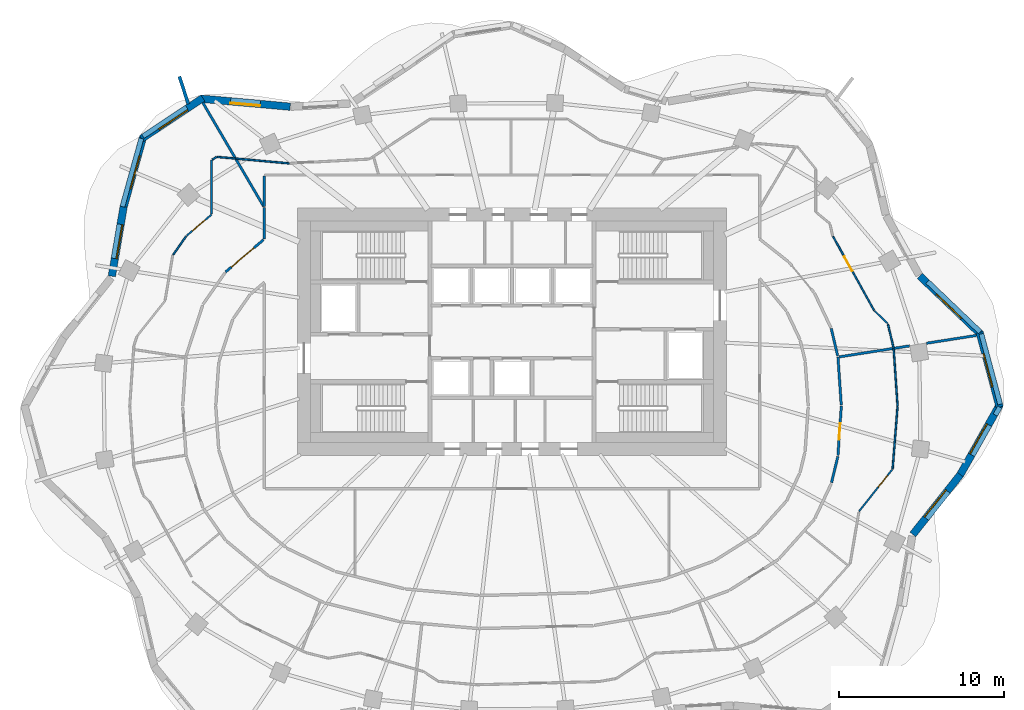
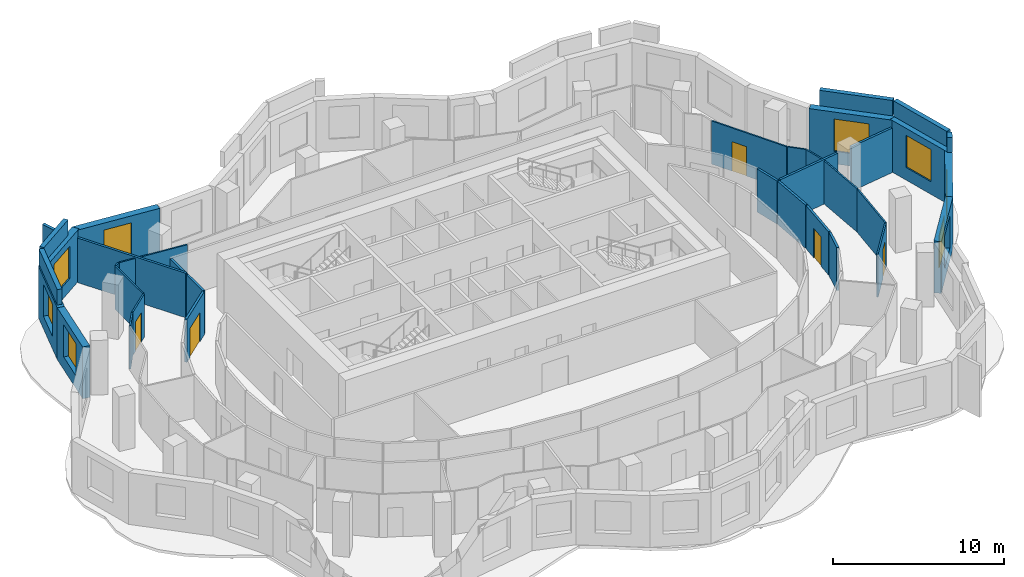
# One storey, part 7 of 10: 36 walls, 8 windows, 5 doors, 13 openings.
"""IFC4 building model written with IfcOpenShell, lengths in metres."""

from ifc_helpers import new_model, si_unit, direction, frame, frame_2d, origin, place, context, subcontext, project, spatial, rectangle, extrude, material, layer, layer_set, type_object, element, fill, save


model = new_model("IFC4")

# Units and contexts
model_context = context("Model", 3, precision=1e-05, world=origin(), true_north=direction((0.0, 1.0)))
body_context = subcontext(model_context, "Body", "Model", "MODEL_VIEW")
ifc_project = project(units=[si_unit("LENGTHUNIT", "METRE"), si_unit("AREAUNIT", "SQUARE_METRE"), si_unit("VOLUMEUNIT", "CUBIC_METRE"), si_unit("PLANEANGLEUNIT", "RADIAN"), si_unit("MASSUNIT", "GRAM", prefix="KILO")], contexts=[model_context])

# Site, building, storey
site_placement = place(None, origin())
site = spatial("IfcSite", under=ifc_project, at=site_placement, CompositionType="ELEMENT")
building_placement = place(site_placement, origin())
building = spatial("IfcBuilding", under=site, at=building_placement, Name="Rubra Terraces Tower", CompositionType="ELEMENT")
storey_placement = place(building_placement, frame((0.0, 0.0, 205.199951171875)))
storey = spatial("IfcBuildingStorey", under=building, at=storey_placement, Name="L50", CompositionType="ELEMENT", Elevation=205.199951171875)

# Wall, opening, window
ifc_material_1 = material(Name="Brick masonry red-brown", Category="masonry")
ifc_layer_1 = layer(ifc_material_1, 0.449951171875)
ifc_layer_set_1 = layer_set([ifc_layer_1], Name="Brick masonry red-brown")
wall_type_1 = type_object("IfcWallType", Name="Brick facade wall 450", PredefinedType="SOLIDWALL", material=ifc_layer_set_1)
wall_1_placement = place(storey_placement, frame((29.539794921875, -0.05810546875, 0.0), z_axis=(0.0, 0.0, 1.0), x_axis=(-0.258581372102, 0.96598947924, 0.0)))
wall_1 = element("IfcWall", 1, at=wall_1_placement, inside=storey, type_object=wall_type_1, Name="Facade wall L50 bay 1", PredefinedType="SOLIDWALL", context=body_context, shape_type="SweptSolid", body=[
    extrude(rectangle(XDim=4.68017578125, YDim=0.449951171875, at=frame_2d((2.340087890625, 0.0))), origin(), (0.0, 0.0, 1.0), 3.699951171875),
])
opening_1_placement = place(wall_1_placement, frame((1.2900390625, 0.0, 0.89990234375)))
opening_1 = element("IfcOpeningElement", 2, at=opening_1_placement, cuts=wall_1, Name="Opening W1B", PredefinedType="OPENING", context=body_context, shape_type="SweptSolid", body=[
    extrude(rectangle(XDim=2.10009765625, YDim=2.300048828125, at=frame_2d((1.050048828125, 1.14990234375))), frame((0.0, 0.23486328125, 0.0), z_axis=(0.0, -1.0, 0.0), x_axis=(1.0, 0.0, 0.0)), (0.0, 0.0, 1.0), 0.469970703125),
])
ifc_material_2 = material(Name="Clear glass in aluminium frame", Category="aluminium")
window_type_1 = type_object("IfcWindowType", Name="Fixed deep-set window tall storey 2100 x 2300", PartitioningType="SINGLE_PANEL", PredefinedType="WINDOW", material=ifc_material_2)
window_1_placement = place(opening_1_placement, origin())
window_1 = element("IfcWindow", 3, at=window_1_placement, inside=storey, type_object=window_type_1, Name="Window L50 bay 1", OverallHeight=2.300048828125, OverallWidth=2.10009765625, PartitioningType="SINGLE_PANEL", PredefinedType="WINDOW", context=body_context, shape_type="SweptSolid", body=[
    extrude(rectangle(XDim=2.10009765625, YDim=2.300048828125, at=frame_2d((1.050048828125, 1.14990234375))), frame((0.0, 0.135009765625, 0.0), z_axis=(0.0, -1.0, 0.0), x_axis=(1.0, 0.0, 0.0)), (0.0, 0.0, 1.0), 0.06005859375),
])
fill(opening_1, window_1)

wall_2_placement = place(storey_placement, frame((28.38720703125, 4.362548828125, 0.0), z_axis=(0.0, 0.0, 1.0), x_axis=(-0.722717697728, 0.691143349379, 0.0)))
wall_2 = element("IfcWall", 4, at=wall_2_placement, inside=storey, type_object=wall_type_1, Name="Facade wall L50 bay 2", PredefinedType="SOLIDWALL", context=body_context, shape_type="SweptSolid", body=[
    extrude(rectangle(XDim=5.103271484375, YDim=0.449951171875, at=frame_2d((2.5517578125, 0.0))), origin(), (0.0, 0.0, 1.0), 3.699951171875),
])
opening_2_placement = place(wall_2_placement, frame((1.501708984375, 0.0, 0.89990234375)))
opening_2 = element("IfcOpeningElement", 5, at=opening_2_placement, cuts=wall_2, Name="Opening W1B", PredefinedType="OPENING", context=body_context, shape_type="SweptSolid", body=[
    extrude(rectangle(XDim=2.10009765625, YDim=2.300048828125, at=frame_2d((1.050048828125, 1.14990234375))), frame((0.0, 0.23486328125, 0.0), z_axis=(0.0, -1.0, 0.0), x_axis=(1.0, 0.0, 0.0)), (0.0, 0.0, 1.0), 0.469970703125),
])
window_2_placement = place(opening_2_placement, origin())
window_2 = element("IfcWindow", 6, at=window_2_placement, inside=storey, type_object=window_type_1, Name="Window L50 bay 2", OverallHeight=2.300048828125, OverallWidth=2.10009765625, PartitioningType="SINGLE_PANEL", PredefinedType="WINDOW", context=body_context, shape_type="SweptSolid", body=[
    extrude(rectangle(XDim=2.10009765625, YDim=2.300048828125, at=frame_2d((1.050048828125, 1.14990234375))), frame((0.0, 0.135009765625, 0.0), z_axis=(0.0, -1.0, 0.0), x_axis=(1.0, 0.0, 0.0)), (0.0, 0.0, 1.0), 0.06005859375),
])
fill(opening_2, window_2)

wall_3_placement = place(storey_placement, frame((-13.435791015625, 18.1376953125, 0.0), z_axis=(0.0, 0.0, 1.0), x_axis=(-0.99598810213, 0.089485755376, 0.0)))
wall_3 = element("IfcWall", 7, at=wall_3_placement, inside=storey, type_object=wall_type_1, Name="Facade wall L50 bay 15", PredefinedType="SOLIDWALL", context=body_context, shape_type="SweptSolid", body=[
    extrude(rectangle(XDim=5.451171875, YDim=0.449951171875, at=frame_2d((2.7255859375, 0.0))), origin(), (0.0, 0.0, 1.0), 3.699951171875),
])
opening_3_placement = place(wall_3_placement, frame((1.825439453125, 0.0, 0.89990234375)))
opening_3 = element("IfcOpeningElement", 8, at=opening_3_placement, cuts=wall_3, Name="Opening W6B", PredefinedType="OPENING", context=body_context, shape_type="SweptSolid", body=[
    extrude(rectangle(XDim=1.800048828125, YDim=2.300048828125, at=frame_2d((0.89990234375, 1.14990234375))), frame((0.0, 0.23486328125, 0.0), z_axis=(0.0, -1.0, 0.0), x_axis=(1.0, 0.0, 0.0)), (0.0, 0.0, 1.0), 0.469970703125),
])
window_type_2 = type_object("IfcWindowType", Name="Fixed deep-set window at wind fin tall storey 1800 x 2300", PartitioningType="SINGLE_PANEL", PredefinedType="WINDOW", material=ifc_material_2)
window_3_placement = place(opening_3_placement, origin())
window_3 = element("IfcWindow", 9, at=window_3_placement, inside=storey, type_object=window_type_2, Name="Window L50 bay 15", OverallHeight=2.300048828125, OverallWidth=1.800048828125, PartitioningType="SINGLE_PANEL", PredefinedType="WINDOW", context=body_context, shape_type="SweptSolid", body=[
    extrude(rectangle(XDim=1.800048828125, YDim=2.300048828125, at=frame_2d((0.89990234375, 1.14990234375))), frame((0.0, 0.135009765625, 0.0), z_axis=(0.0, -1.0, 0.0), x_axis=(1.0, 0.0, 0.0)), (0.0, 0.0, 1.0), 0.06005859375),
])
fill(opening_3, window_3)

wall_4_placement = place(storey_placement, frame((-18.7255859375, 18.66259765625, 0.0), z_axis=(0.0, 0.0, 1.0), x_axis=(-0.83333921474, -0.552761931736, 0.0)))
wall_4 = element("IfcWall", 10, at=wall_4_placement, inside=storey, type_object=wall_type_1, Name="Facade wall L50 bay 16", PredefinedType="SOLIDWALL", context=body_context, shape_type="SweptSolid", body=[
    extrude(rectangle(XDim=4.45068359375, YDim=0.449951171875, at=frame_2d((2.225341796875, 0.0))), origin(), (0.0, 0.0, 1.0), 3.699951171875),
])
opening_4_placement = place(wall_4_placement, frame((1.17529296875, 0.0, 0.89990234375)))
opening_4 = element("IfcOpeningElement", 11, at=opening_4_placement, cuts=wall_4, Name="Opening W1B", PredefinedType="OPENING", context=body_context, shape_type="SweptSolid", body=[
    extrude(rectangle(XDim=2.10009765625, YDim=2.300048828125, at=frame_2d((1.050048828125, 1.14990234375))), frame((0.0, 0.23486328125, 0.0), z_axis=(0.0, -1.0, 0.0), x_axis=(1.0, 0.0, 0.0)), (0.0, 0.0, 1.0), 0.469970703125),
])
window_4_placement = place(opening_4_placement, origin())
window_4 = element("IfcWindow", 12, at=window_4_placement, inside=storey, type_object=window_type_1, Name="Window L50 bay 16", OverallHeight=2.300048828125, OverallWidth=2.10009765625, PartitioningType="SINGLE_PANEL", PredefinedType="WINDOW", context=body_context, shape_type="SweptSolid", body=[
    extrude(rectangle(XDim=2.10009765625, YDim=2.300048828125, at=frame_2d((1.050048828125, 1.14990234375))), frame((0.0, 0.135009765625, 0.0), z_axis=(0.0, -1.0, 0.0), x_axis=(1.0, 0.0, 0.0)), (0.0, 0.0, 1.0), 0.06005859375),
])
fill(opening_4, window_4)

wall_5_placement = place(storey_placement, frame((-22.343505859375, 16.32568359375, 0.0), z_axis=(0.0, 0.0, 1.0), x_axis=(-0.267925456304, -0.963439645159, 0.0)))
wall_5 = element("IfcWall", 13, at=wall_5_placement, inside=storey, type_object=wall_type_1, Name="Facade wall L50 bay 17", PredefinedType="SOLIDWALL", context=body_context, shape_type="SweptSolid", body=[
    extrude(rectangle(XDim=4.4267578125, YDim=0.449951171875, at=frame_2d((2.21337890625, 0.0))), origin(), (0.0, 0.0, 1.0), 3.699951171875),
])
opening_5_placement = place(wall_5_placement, frame((1.16357421875, 0.0, 0.89990234375)))
opening_5 = element("IfcOpeningElement", 14, at=opening_5_placement, cuts=wall_5, Name="Opening W1B", PredefinedType="OPENING", context=body_context, shape_type="SweptSolid", body=[
    extrude(rectangle(XDim=2.10009765625, YDim=2.300048828125, at=frame_2d((1.050048828125, 1.14990234375))), frame((0.0, 0.23486328125, 0.0), z_axis=(0.0, -1.0, 0.0), x_axis=(1.0, 0.0, 0.0)), (0.0, 0.0, 1.0), 0.469970703125),
])
window_5_placement = place(opening_5_placement, origin())
window_5 = element("IfcWindow", 15, at=window_5_placement, inside=storey, type_object=window_type_1, Name="Window L50 bay 17", OverallHeight=2.300048828125, OverallWidth=2.10009765625, PartitioningType="SINGLE_PANEL", PredefinedType="WINDOW", context=body_context, shape_type="SweptSolid", body=[
    extrude(rectangle(XDim=2.10009765625, YDim=2.300048828125, at=frame_2d((1.050048828125, 1.14990234375))), frame((0.0, 0.135009765625, 0.0), z_axis=(0.0, -1.0, 0.0), x_axis=(1.0, 0.0, 0.0)), (0.0, 0.0, 1.0), 0.06005859375),
])
fill(opening_5, window_5)

wall_6_placement = place(storey_placement, frame((-23.524169921875, 12.0830078125, 0.0), z_axis=(0.0, 0.0, 1.0), x_axis=(-0.167445072349, -0.985881406532, 0.0)))
wall_6 = element("IfcWall", 16, at=wall_6_placement, inside=storey, type_object=wall_type_1, Name="Facade wall L50 bay 18", PredefinedType="SOLIDWALL", context=body_context, shape_type="SweptSolid", body=[
    extrude(rectangle(XDim=4.27490234375, YDim=0.449951171875, at=frame_2d((2.137451171875, 0.0))), origin(), (0.0, 0.0, 1.0), 3.699951171875),
])
opening_6_placement = place(wall_6_placement, frame((1.08740234375, 0.0, 0.89990234375)))
opening_6 = element("IfcOpeningElement", 17, at=opening_6_placement, cuts=wall_6, Name="Opening W1B", PredefinedType="OPENING", context=body_context, shape_type="SweptSolid", body=[
    extrude(rectangle(XDim=2.10009765625, YDim=2.300048828125, at=frame_2d((1.050048828125, 1.14990234375))), frame((0.0, 0.23486328125, 0.0), z_axis=(0.0, -1.0, 0.0), x_axis=(1.0, 0.0, 0.0)), (0.0, 0.0, 1.0), 0.469970703125),
])
window_6_placement = place(opening_6_placement, origin())
window_6 = element("IfcWindow", 18, at=window_6_placement, inside=storey, type_object=window_type_1, Name="Window L50 bay 18", OverallHeight=2.300048828125, OverallWidth=2.10009765625, PartitioningType="SINGLE_PANEL", PredefinedType="WINDOW", context=body_context, shape_type="SweptSolid", body=[
    extrude(rectangle(XDim=2.10009765625, YDim=2.300048828125, at=frame_2d((1.050048828125, 1.14990234375))), frame((0.0, 0.135009765625, 0.0), z_axis=(0.0, -1.0, 0.0), x_axis=(1.0, 0.0, 0.0)), (0.0, 0.0, 1.0), 0.06005859375),
])
fill(opening_6, window_6)

wall_7_placement = place(storey_placement, frame((24.2822265625, -7.773681640625, 0.0), z_axis=(0.0, 0.0, 1.0), x_axis=(0.621735490397, 0.783227285008, 0.0)))
wall_7 = element("IfcWall", 19, at=wall_7_placement, inside=storey, type_object=wall_type_1, Name="Facade wall L50 bay 39", PredefinedType="SOLIDWALL", context=body_context, shape_type="SweptSolid", body=[
    extrude(rectangle(XDim=4.62451171875, YDim=0.449951171875, at=frame_2d((2.312255859375, 0.0))), origin(), (0.0, 0.0, 1.0), 3.699951171875),
])
opening_7_placement = place(wall_7_placement, frame((1.26220703125, 0.0, 0.89990234375)))
opening_7 = element("IfcOpeningElement", 20, at=opening_7_placement, cuts=wall_7, Name="Opening W1B", PredefinedType="OPENING", context=body_context, shape_type="SweptSolid", body=[
    extrude(rectangle(XDim=2.10009765625, YDim=2.300048828125, at=frame_2d((1.050048828125, 1.14990234375))), frame((0.0, 0.23486328125, 0.0), z_axis=(0.0, -1.0, 0.0), x_axis=(1.0, 0.0, 0.0)), (0.0, 0.0, 1.0), 0.469970703125),
])
window_7_placement = place(opening_7_placement, origin())
window_7 = element("IfcWindow", 21, at=window_7_placement, inside=storey, type_object=window_type_1, Name="Window L50 bay 39", OverallHeight=2.300048828125, OverallWidth=2.10009765625, PartitioningType="SINGLE_PANEL", PredefinedType="WINDOW", context=body_context, shape_type="SweptSolid", body=[
    extrude(rectangle(XDim=2.10009765625, YDim=2.300048828125, at=frame_2d((1.050048828125, 1.14990234375))), frame((0.0, 0.135009765625, 0.0), z_axis=(0.0, -1.0, 0.0), x_axis=(1.0, 0.0, 0.0)), (0.0, 0.0, 1.0), 0.06005859375),
])
fill(opening_7, window_7)

wall_8_placement = place(storey_placement, frame((27.138427734375, -4.180908203125, 0.0), z_axis=(0.0, 0.0, 1.0), x_axis=(0.491588303761, 0.870827732451, 0.0)))
wall_8 = element("IfcWall", 22, at=wall_8_placement, inside=storey, type_object=wall_type_1, Name="Facade wall L50 bay 40", PredefinedType="SOLIDWALL", context=body_context, shape_type="SweptSolid", body=[
    extrude(rectangle(XDim=4.924072265625, YDim=0.449951171875, at=frame_2d((2.4619140625, 0.0))), origin(), (0.0, 0.0, 1.0), 3.699951171875),
])
opening_8_placement = place(wall_8_placement, frame((1.412109375, 0.0, 0.89990234375)))
opening_8 = element("IfcOpeningElement", 23, at=opening_8_placement, cuts=wall_8, Name="Opening W1B", PredefinedType="OPENING", context=body_context, shape_type="SweptSolid", body=[
    extrude(rectangle(XDim=2.10009765625, YDim=2.300048828125, at=frame_2d((1.050048828125, 1.14990234375))), frame((0.0, 0.23486328125, 0.0), z_axis=(0.0, -1.0, 0.0), x_axis=(1.0, 0.0, 0.0)), (0.0, 0.0, 1.0), 0.469970703125),
])
window_8_placement = place(opening_8_placement, origin())
window_8 = element("IfcWindow", 24, at=window_8_placement, inside=storey, type_object=window_type_1, Name="Window L50 bay 40", OverallHeight=2.300048828125, OverallWidth=2.10009765625, PartitioningType="SINGLE_PANEL", PredefinedType="WINDOW", context=body_context, shape_type="SweptSolid", body=[
    extrude(rectangle(XDim=2.10009765625, YDim=2.300048828125, at=frame_2d((1.050048828125, 1.14990234375))), frame((0.0, 0.135009765625, 0.0), z_axis=(0.0, -1.0, 0.0), x_axis=(1.0, 0.0, 0.0)), (0.0, 0.0, 1.0), 0.06005859375),
])
fill(opening_8, window_8)

# Walls
ifc_layer_2 = layer(ifc_material_1, 0.300048828125)
ifc_layer_set_2 = layer_set([ifc_layer_2], Name="Brick masonry red-brown")
wall_type_2 = type_object("IfcWallType", Name="Brick parapet 300", PredefinedType="PARAPET", material=ifc_layer_set_2)
for number, where, z_axis, x_axis, name in (
    (25, (29.57275390625, 0.1083984375, 3.900146484375), (0.0, 0.0, 1.0), (-0.258523195294, 0.96600505045, 0.0), "Parapet L50 bay 1"),
    (26, (28.36083984375, 4.491455078125, 3.900146484375), (0.0, 0.0, 1.0), (-0.722694709068, 0.691167387457, 0.0), "Parapet L50 bay 2"),
):
    element("IfcWall", number, at=place(storey_placement, frame(where, z_axis=z_axis, x_axis=x_axis)), inside=storey, type_object=wall_type_2, Name=name, PredefinedType="PARAPET", context=body_context, shape_type="SweptSolid", body=[
        extrude(rectangle(XDim=4.4140625, YDim=0.300048828125, at=frame_2d((2.20703125, 0.0))), origin(), (0.0, 0.0, 1.0), 1.099853515625),
    ])
wall_9_placement = place(storey_placement, frame((-19.70751953125, 18.101318359375, 3.900146484375), z_axis=(0.0, 0.0, 1.0), x_axis=(-0.833370664286, -0.552714515738, 0.0)))
element("IfcWall", 27, at=wall_9_placement, inside=storey, type_object=wall_type_2, Name="Parapet L50 bay 16", PredefinedType="PARAPET", context=body_context, shape_type="SweptSolid", body=[
    extrude(rectangle(XDim=3.180419921875, YDim=0.300048828125, at=frame_2d((1.59033203125, 0.0))), origin(), (0.0, 0.0, 1.0), 1.099853515625),
])
wall_10_placement = place(storey_placement, frame((-22.452392578125, 16.213134765625, 3.900146484375), z_axis=(0.0, 0.0, 1.0), x_axis=(-0.267999167257, -0.963419143649, 0.0)))
element("IfcWall", 28, at=wall_10_placement, inside=storey, type_object=wall_type_2, Name="Parapet L50 bay 17", PredefinedType="PARAPET", context=body_context, shape_type="SweptSolid", body=[
    extrude(rectangle(XDim=4.287841796875, YDim=0.300048828125, at=frame_2d((2.14404296875, 0.0))), origin(), (0.0, 0.0, 1.0), 1.099853515625),
])
wall_11_placement = place(storey_placement, frame((29.27880859375, -0.541748046875, 3.900146484375), z_axis=(0.0, 0.0, 1.0), x_axis=(0.491912136679, 0.870644847103, 0.0)))
element("IfcWall", 29, at=wall_11_placement, inside=storey, type_object=wall_type_2, Name="Parapet L50 bay 40", PredefinedType="PARAPET", context=body_context, shape_type="SweptSolid", body=[
    extrude(rectangle(XDim=0.554443359375, YDim=0.300048828125, at=frame_2d((0.27734375, 0.0))), origin(), (0.0, 0.0, 1.0), 1.099853515625),
])
ifc_layer_3 = layer(ifc_material_1, 0.199951171875)
ifc_layer_set_3 = layer_set([ifc_layer_3], Name="Brick masonry red-brown")
wall_type_3 = type_object("IfcWallType", Name="Brick wind fin 200", PredefinedType="SOLIDWALL", material=ifc_layer_set_3)
wall_12_placement = place(storey_placement, frame((-19.60888671875, 18.304931640625, 0.0), z_axis=(0.0, 0.0, 1.0), x_axis=(-0.308600224758, 0.951191832008, 0.0)))
element("IfcWall", 30, at=wall_12_placement, inside=storey, type_object=wall_type_3, Name="Wind fin L50 10", PredefinedType="SOLIDWALL", context=body_context, shape_type="SweptSolid", body=[
    extrude(rectangle(XDim=1.75, YDim=0.199951171875, at=frame_2d((0.875, 0.0))), origin(), (0.0, 0.0, 1.0), 3.699951171875),
])
ifc_material_3 = material(Name="Plasterboard on steel stud, mineral wool infill", Category="steel")
ifc_layer_4 = layer(ifc_material_3, 0.14990234375)
ifc_layer_set_4 = layer_set([ifc_layer_4], Name="Plasterboard on steel stud, mineral wool infill")
wall_type_4 = type_object("IfcWallType", Name="CORRIDOR PARTITION 150", PredefinedType="PARTITIONING", material=ifc_layer_set_4)
wall_13_placement = place(storey_placement, frame((-15.0, 12.0205078125, 0.0), z_axis=(0.0, 0.0, 1.0), x_axis=(0.0, -1.0, 0.0)))
element("IfcWall", 31, at=wall_13_placement, inside=storey, type_object=wall_type_4, Name="PARTITION", PredefinedType="PARTITIONING", context=body_context, shape_type="SweptSolid", body=[
    extrude(rectangle(XDim=1.89892578125, YDim=0.14990234375, at=frame_2d((0.949462890625, 0.0))), origin(), (0.0, 0.0, 1.0), 3.083984375),
])

# Wall, opening, door
wall_14_placement = place(storey_placement, frame((-15.05712890625, 10.072998046875, 0.0), z_axis=(0.0, 0.0, 1.0), x_axis=(-0.762398905861, -0.647107339119, 0.0)))
wall_14 = element("IfcWall", 32, at=wall_14_placement, inside=storey, type_object=wall_type_4, Name="PARTITION", PredefinedType="PARTITIONING", context=body_context, shape_type="SweptSolid", body=[
    extrude(rectangle(XDim=3.013427734375, YDim=0.14990234375, at=frame_2d((1.5068359375, 0.0))), origin(), (0.0, 0.0, 1.0), 3.083984375),
])
opening_9_placement = place(wall_14_placement, frame((0.75, 0.0, 0.0)))
opening_9 = element("IfcOpeningElement", 33, at=opening_9_placement, cuts=wall_14, Name="Opening 50-101", PredefinedType="OPENING", context=body_context, shape_type="SweptSolid", body=[
    extrude(rectangle(XDim=1.800048828125, YDim=2.10009765625, at=frame_2d((0.89990234375, 1.050048828125))), frame((0.0, 0.0849609375, 0.0), z_axis=(0.0, -1.0, 0.0), x_axis=(1.0, 0.0, 0.0)), (0.0, 0.0, 1.0), 0.169921875),
])
ifc_material_4 = material(Name="Painted timber door leaf, double", Category="wood")
door_type_1 = type_object("IfcDoorType", Name="ROOM DOUBLE DOOR 1800 X 2100", OperationType="DOUBLE_DOOR_SINGLE_SWING", PredefinedType="DOOR", material=ifc_material_4)
door_1_placement = place(opening_9_placement, origin())
door_1 = element("IfcDoor", 34, at=door_1_placement, inside=storey, type_object=door_type_1, Name="DOOR 50-101", OperationType="DOUBLE_DOOR_SINGLE_SWING", OverallHeight=2.10009765625, OverallWidth=1.800048828125, PredefinedType="DOOR", context=body_context, shape_type="SweptSolid", body=[
    extrude(rectangle(XDim=1.800048828125, YDim=2.10009765625, at=frame_2d((0.89990234375, 1.050048828125))), frame((0.0, 0.02490234375, 0.0), z_axis=(0.0, -1.0, 0.0), x_axis=(1.0, 0.0, 0.0)), (0.0, 0.0, 1.0), 0.050048828125),
])
fill(opening_9, door_1)

# Wall
wall_15_placement = place(storey_placement, frame((19.355224609375, -4.6328125, 0.0), z_axis=(0.0, 0.0, 1.0), x_axis=(0.236703930685, 0.971581828359, 0.0)))
element("IfcWall", 35, at=wall_15_placement, inside=storey, type_object=wall_type_4, Name="PARTITION", PredefinedType="PARTITIONING", context=body_context, shape_type="SweptSolid", body=[
    extrude(rectangle(XDim=1.62646484375, YDim=0.14990234375, at=frame_2d((0.813232421875, 0.0))), origin(), (0.0, 0.0, 1.0), 3.083984375),
])

# Wall, opening, door
wall_16_placement = place(storey_placement, frame((19.745361328125, -2.9775390625, 0.0), z_axis=(0.0, 0.0, 1.0), x_axis=(0.068142324, 0.997675610447, 0.0)))
wall_16 = element("IfcWall", 36, at=wall_16_placement, inside=storey, type_object=wall_type_4, Name="PARTITION", PredefinedType="PARTITIONING", context=body_context, shape_type="SweptSolid", body=[
    extrude(rectangle(XDim=2.984375, YDim=0.14990234375, at=frame_2d((1.4921875, 0.0))), origin(), (0.0, 0.0, 1.0), 3.083984375),
])
opening_10_placement = place(wall_16_placement, frame((0.949951171875, 0.0, 0.0)))
opening_10 = element("IfcOpeningElement", 37, at=opening_10_placement, cuts=wall_16, Name="Opening 50-120", PredefinedType="OPENING", context=body_context, shape_type="SweptSolid", body=[
    extrude(rectangle(XDim=1.0, YDim=2.10009765625, at=frame_2d((0.5, 1.050048828125))), frame((0.0, 0.0849609375, 0.0), z_axis=(0.0, -1.0, 0.0), x_axis=(1.0, 0.0, 0.0)), (0.0, 0.0, 1.0), 0.169921875),
])
ifc_material_5 = material(Name="Painted timber door leaf", Category="wood")
door_type_2 = type_object("IfcDoorType", Name="ROOM DOOR 1000 X 2100", OperationType="SINGLE_SWING_LEFT", PredefinedType="DOOR", material=ifc_material_5)
door_2_placement = place(opening_10_placement, origin())
door_2 = element("IfcDoor", 38, at=door_2_placement, inside=storey, type_object=door_type_2, Name="DOOR 50-120", OperationType="SINGLE_SWING_RIGHT", OverallHeight=2.10009765625, OverallWidth=1.0, PredefinedType="DOOR", context=body_context, shape_type="SweptSolid", body=[
    extrude(rectangle(XDim=1.0, YDim=2.10009765625, at=frame_2d((0.5, 1.050048828125))), frame((0.0, 0.02490234375, 0.0), z_axis=(0.0, -1.0, 0.0), x_axis=(1.0, 0.0, 0.0)), (0.0, 0.0, 1.0), 0.050048828125),
])
fill(opening_10, door_2)

# Walls
wall_17_placement = place(storey_placement, frame((19.943603515625, 0.07470703125, 0.0), z_axis=(0.0, 0.0, 1.0), x_axis=(-0.068109486785, 0.997677852721, 0.0)))
element("IfcWall", 39, at=wall_17_placement, inside=storey, type_object=wall_type_4, Name="PARTITION", PredefinedType="PARTITIONING", context=body_context, shape_type="SweptSolid", body=[
    extrude(rectangle(XDim=2.903564453125, YDim=0.14990234375, at=frame_2d((1.45166015625, 0.0))), origin(), (0.0, 0.0, 1.0), 3.083984375),
])
wall_18_placement = place(storey_placement, frame((19.728759765625, 3.04443359375, 0.0), z_axis=(0.0, 0.0, 1.0), x_axis=(-0.229318400324, 0.973351463385, 0.0)))
element("IfcWall", 40, at=wall_18_placement, inside=storey, type_object=wall_type_4, Name="PARTITION", PredefinedType="PARTITIONING", context=body_context, shape_type="SweptSolid", body=[
    extrude(rectangle(XDim=1.70654296875, YDim=0.14990234375, at=frame_2d((0.853271484375, 0.0))), origin(), (0.0, 0.0, 1.0), 3.083984375),
])
wall_19_placement = place(storey_placement, frame((-15.0, 13.925048828125, 0.0), z_axis=(0.0, 0.0, 1.0), x_axis=(0.0, -1.0, 0.0)))
element("IfcWall", 41, at=wall_19_placement, inside=storey, type_object=wall_type_4, Name="PARTITION", PredefinedType="PARTITIONING", context=body_context, shape_type="SweptSolid", body=[
    extrude(rectangle(XDim=1.82958984375, YDim=0.14990234375, at=frame_2d((0.914794921875, 0.0))), origin(), (0.0, 0.0, 1.0), 3.083984375),
])
ifc_material_6 = material(Name="Plasterboard on steel stud", Category="steel")
ifc_layer_5 = layer(ifc_material_6, 0.10009765625)
ifc_layer_set_5 = layer_set([ifc_layer_5], Name="Plasterboard on steel stud")
wall_type_5 = type_object("IfcWallType", Name="ROOM PARTITION 100", PredefinedType="PARTITIONING", material=ifc_layer_set_5)
wall_20_placement = place(storey_placement, frame((-20.5224609375, 9.175048828125, 0.0), z_axis=(0.0, 0.0, 1.0), x_axis=(0.572164804476, 0.820138669079, 0.0)))
element("IfcWall", 42, at=wall_20_placement, inside=storey, type_object=wall_type_5, Name="PARTITION", PredefinedType="PARTITIONING", context=body_context, shape_type="SweptSolid", body=[
    extrude(rectangle(XDim=1.364501953125, YDim=0.10009765625, at=frame_2d((0.68212890625, 0.0))), origin(), (0.0, 0.0, 1.0), 3.083984375),
])

# Wall, opening, door
wall_21_placement = place(storey_placement, frame((-19.70361328125, 10.326416015625, 0.0), z_axis=(0.0, 0.0, 1.0), x_axis=(0.762375886238, 0.647134459044, 0.0)))
wall_21 = element("IfcWall", 43, at=wall_21_placement, inside=storey, type_object=wall_type_5, Name="PARTITION", PredefinedType="PARTITIONING", context=body_context, shape_type="SweptSolid", body=[
    extrude(rectangle(XDim=1.972412109375, YDim=0.10009765625, at=frame_2d((0.986328125, 0.0))), origin(), (0.0, 0.0, 1.0), 3.083984375),
])
opening_11_placement = place(wall_21_placement, frame((0.449951171875, 0.0, 0.0)))
opening_11 = element("IfcOpeningElement", 44, at=opening_11_placement, cuts=wall_21, Name="Opening 50-102", PredefinedType="OPENING", context=body_context, shape_type="SweptSolid", body=[
    extrude(rectangle(XDim=1.0, YDim=2.10009765625, at=frame_2d((0.5, 1.050048828125))), frame((0.0, 0.06005859375, 0.0), z_axis=(0.0, -1.0, 0.0), x_axis=(1.0, 0.0, 0.0)), (0.0, 0.0, 1.0), 0.1201171875),
])
door_3_placement = place(opening_11_placement, origin())
door_3 = element("IfcDoor", 45, at=door_3_placement, inside=storey, type_object=door_type_2, Name="DOOR 50-102", OperationType="SINGLE_SWING_RIGHT", OverallHeight=2.10009765625, OverallWidth=1.0, PredefinedType="DOOR", context=body_context, shape_type="SweptSolid", body=[
    extrude(rectangle(XDim=1.0, YDim=2.10009765625, at=frame_2d((0.5, 1.050048828125))), frame((0.0, 0.02490234375, 0.0), z_axis=(0.0, -1.0, 0.0), x_axis=(1.0, 0.0, 0.0)), (0.0, 0.0, 1.0), 0.050048828125),
])
fill(opening_11, door_3)

# Walls
wall_22_placement = place(storey_placement, frame((-18.199951171875, 11.652587890625, 0.0), z_axis=(0.0, 0.0, 1.0), x_axis=(0.0, 1.0, 0.0)))
element("IfcWall", 46, at=wall_22_placement, inside=storey, type_object=wall_type_5, Name="PARTITION", PredefinedType="PARTITIONING", context=body_context, shape_type="SweptSolid", body=[
    extrude(rectangle(XDim=3.248779296875, YDim=0.10009765625, at=frame_2d((1.62451171875, 0.0))), origin(), (0.0, 0.0, 1.0), 3.083984375),
])
wall_23_placement = place(storey_placement, frame((-18.158203125, 14.928955078125, 0.0), z_axis=(0.0, 0.0, 1.0), x_axis=(0.833382172027, 0.55269716423, 0.0)))
element("IfcWall", 47, at=wall_23_placement, inside=storey, type_object=wall_type_5, Name="PARTITION", PredefinedType="PARTITIONING", context=body_context, shape_type="SweptSolid", body=[
    extrude(rectangle(XDim=0.3095703125, YDim=0.10009765625, at=frame_2d((0.15478515625, 0.0))), origin(), (0.0, 0.0, 1.0), 3.083984375),
])
wall_24_placement = place(storey_placement, frame((-17.850341796875, 15.095703125, 0.0), z_axis=(0.0, 0.0, 1.0), x_axis=(0.995966605389, -0.089724695315, 0.0)))
element("IfcWall", 48, at=wall_24_placement, inside=storey, type_object=wall_type_5, Name="PARTITION", PredefinedType="PARTITIONING", context=body_context, shape_type="SweptSolid", body=[
    extrude(rectangle(XDim=1.085693359375, YDim=0.10009765625, at=frame_2d((0.54296875, 0.0))), origin(), (0.0, 0.0, 1.0), 3.083984375),
])
wall_25_placement = place(storey_placement, frame((23.119140625, 3.47802734375, 0.0), z_axis=(0.0, 0.0, 1.0), x_axis=(0.068141123735, -0.997675692425, 0.0)))
element("IfcWall", 49, at=wall_25_placement, inside=storey, type_object=wall_type_5, Name="PARTITION", PredefinedType="PARTITIONING", context=body_context, shape_type="SweptSolid", body=[
    extrude(rectangle(XDim=3.486083984375, YDim=0.10009765625, at=frame_2d((1.7431640625, 0.0))), origin(), (0.0, 0.0, 1.0), 3.083984375),
])
wall_26_placement = place(storey_placement, frame((23.352783203125, -0.0498046875, 0.0), z_axis=(0.0, 0.0, 1.0), x_axis=(-0.078942785997, -0.996879148412, 0.0)))
element("IfcWall", 50, at=wall_26_placement, inside=storey, type_object=wall_type_5, Name="PARTITION", PredefinedType="PARTITIONING", context=body_context, shape_type="SweptSolid", body=[
    extrude(rectangle(XDim=3.77294921875, YDim=0.10009765625, at=frame_2d((1.886474609375, 0.0))), origin(), (0.0, 0.0, 1.0), 3.083984375),
])

# Wall, opening, door
wall_27_placement = place(storey_placement, frame((23.023681640625, -3.85009765625, 0.0), z_axis=(0.0, 0.0, 1.0), x_axis=(-0.621707275044, -0.783249681875, 0.0)))
wall_27 = element("IfcWall", 51, at=wall_27_placement, inside=storey, type_object=wall_type_5, Name="PARTITION", PredefinedType="PARTITIONING", context=body_context, shape_type="SweptSolid", body=[
    extrude(rectangle(XDim=3.2236328125, YDim=0.10009765625, at=frame_2d((1.61181640625, 0.0))), origin(), (0.0, 0.0, 1.0), 3.083984375),
])
opening_12_placement = place(wall_27_placement, frame((0.449951171875, 0.0, 0.0)))
opening_12 = element("IfcOpeningElement", 52, at=opening_12_placement, cuts=wall_27, Name="Opening 50-109", PredefinedType="OPENING", context=body_context, shape_type="SweptSolid", body=[
    extrude(rectangle(XDim=0.89990234375, YDim=2.10009765625, at=frame_2d((0.449951171875, 1.050048828125))), frame((0.0, 0.06005859375, 0.0), z_axis=(0.0, -1.0, 0.0), x_axis=(1.0, 0.0, 0.0)), (0.0, 0.0, 1.0), 0.1201171875),
])
door_type_3 = type_object("IfcDoorType", Name="ROOM DOOR 900 X 2100", OperationType="SINGLE_SWING_LEFT", PredefinedType="DOOR", material=ifc_material_5)
door_4_placement = place(opening_12_placement, origin())
door_4 = element("IfcDoor", 53, at=door_4_placement, inside=storey, type_object=door_type_3, Name="DOOR 50-109", OperationType="SINGLE_SWING_LEFT", OverallHeight=2.10009765625, OverallWidth=0.89990234375, PredefinedType="DOOR", context=body_context, shape_type="SweptSolid", body=[
    extrude(rectangle(XDim=0.89990234375, YDim=2.10009765625, at=frame_2d((0.449951171875, 1.050048828125))), frame((0.0, 0.02490234375, 0.0), z_axis=(0.0, -1.0, 0.0), x_axis=(1.0, 0.0, 0.0)), (0.0, 0.0, 1.0), 0.050048828125),
])
fill(opening_12, door_4)

wall_28_placement = place(storey_placement, frame((19.4501953125, 10.273193359375, 0.0), z_axis=(0.0, 0.0, 1.0), x_axis=(0.485137067925, -0.87443811978, 0.0)))
wall_28 = element("IfcWall", 54, at=wall_28_placement, inside=storey, type_object=wall_type_5, Name="PARTITION", PredefinedType="PARTITIONING", context=body_context, shape_type="SweptSolid", body=[
    extrude(rectangle(XDim=5.123046875, YDim=0.10009765625, at=frame_2d((2.5615234375, 0.0))), origin(), (0.0, 0.0, 1.0), 3.083984375),
])
opening_13_placement = place(wall_28_placement, frame((1.39306640625, 0.0, 0.0)))
opening_13 = element("IfcOpeningElement", 55, at=opening_13_placement, cuts=wall_28, Name="Opening 50-111", PredefinedType="OPENING", context=body_context, shape_type="SweptSolid", body=[
    extrude(rectangle(XDim=1.0, YDim=2.10009765625, at=frame_2d((0.5, 1.050048828125))), frame((0.0, 0.06005859375, 0.0), z_axis=(0.0, -1.0, 0.0), x_axis=(1.0, 0.0, 0.0)), (0.0, 0.0, 1.0), 0.1201171875),
])
door_5_placement = place(opening_13_placement, origin())
door_5 = element("IfcDoor", 56, at=door_5_placement, inside=storey, type_object=door_type_2, Name="DOOR 50-111", OperationType="SINGLE_SWING_LEFT", OverallHeight=2.10009765625, OverallWidth=1.0, PredefinedType="DOOR", context=body_context, shape_type="SweptSolid", body=[
    extrude(rectangle(XDim=1.0, YDim=2.10009765625, at=frame_2d((0.5, 1.050048828125))), frame((0.0, 0.02490234375, 0.0), z_axis=(0.0, -1.0, 0.0), x_axis=(1.0, 0.0, 0.0)), (0.0, 0.0, 1.0), 0.050048828125),
])
fill(opening_13, door_5)

# Walls
wall_29_placement = place(storey_placement, frame((21.9716796875, 5.7587890625, 0.0), z_axis=(0.0, 0.0, 1.0), x_axis=(0.722719124143, -0.691141857796, 0.0)))
element("IfcWall", 57, at=wall_29_placement, inside=storey, type_object=wall_type_5, Name="PARTITION", PredefinedType="PARTITIONING", context=body_context, shape_type="SweptSolid", body=[
    extrude(rectangle(XDim=1.097900390625, YDim=0.10009765625, at=frame_2d((0.548828125, 0.0))), origin(), (0.0, 0.0, 1.0), 3.083984375),
])
wall_30_placement = place(storey_placement, frame((22.776611328125, 4.951416015625, 0.0), z_axis=(0.0, 0.0, 1.0), x_axis=(0.230701773802, -0.973024507176, 0.0)))
element("IfcWall", 58, at=wall_30_placement, inside=storey, type_object=wall_type_5, Name="PARTITION", PredefinedType="PARTITIONING", context=body_context, shape_type="SweptSolid", body=[
    extrude(rectangle(XDim=1.47314453125, YDim=0.10009765625, at=frame_2d((0.736572265625, 0.0))), origin(), (0.0, 0.0, 1.0), 3.083984375),
])
wall_31_placement = place(storey_placement, frame((-16.72021484375, 14.993896484375, 0.0), z_axis=(0.0, 0.0, 1.0), x_axis=(0.9959948888, -0.089410186696, 0.0)))
element("IfcWall", 59, at=wall_31_placement, inside=storey, type_object=wall_type_5, Name="PARTITION", PredefinedType="PARTITIONING", context=body_context, shape_type="SweptSolid", body=[
    extrude(rectangle(XDim=3.24658203125, YDim=0.10009765625, at=frame_2d((1.623291015625, 0.0))), origin(), (0.0, 0.0, 1.0), 3.083984375),
])
ifc_layer_6 = layer(ifc_material_6, 0.14990234375)
ifc_layer_set_6 = layer_set([ifc_layer_6], Name="Plasterboard on steel stud")
wall_type_6 = type_object("IfcWallType", Name="ROOM PARTITION 150", PredefinedType="PARTITIONING", material=ifc_layer_set_6)
wall_32_placement = place(storey_placement, frame((-18.730224609375, 18.383544921875, 0.0), z_axis=(0.0, 0.0, 1.0), x_axis=(0.505745245261, -0.862682877363, 0.0)))
element("IfcWall", 60, at=wall_32_placement, inside=storey, type_object=wall_type_6, Name="PARTITION", PredefinedType="PARTITIONING", context=body_context, shape_type="SweptSolid", body=[
    extrude(rectangle(XDim=7.30078125, YDim=0.14990234375, at=frame_2d((3.650390625, 0.0))), origin(), (0.0, 0.0, 1.0), 3.18408203125),
])
wall_33_placement = place(storey_placement, frame((28.1396484375, 4.282470703125, 0.0), z_axis=(0.0, 0.0, 1.0), x_axis=(-0.98801998677, -0.154325972356, 0.0)))
element("IfcWall", 61, at=wall_33_placement, inside=storey, type_object=wall_type_6, Name="PARTITION", PredefinedType="PARTITIONING", context=body_context, shape_type="SweptSolid", body=[
    extrude(rectangle(XDim=3.072265625, YDim=0.14990234375, at=frame_2d((1.5361328125, 0.0))), origin(), (0.0, 0.0, 1.0), 3.18408203125),
])
wall_34_placement = place(storey_placement, frame((24.07666015625, 3.64794921875, 0.0), z_axis=(0.0, 0.0, 1.0), x_axis=(-0.988022565711, -0.15430946065, 0.0)))
element("IfcWall", 62, at=wall_34_placement, inside=storey, type_object=wall_type_6, Name="PARTITION", PredefinedType="PARTITIONING", context=body_context, shape_type="SweptSolid", body=[
    extrude(rectangle(XDim=4.30810546875, YDim=0.14990234375, at=frame_2d((2.154052734375, 0.0))), origin(), (0.0, 0.0, 1.0), 3.18408203125),
])

save(model, "model.ifc")
